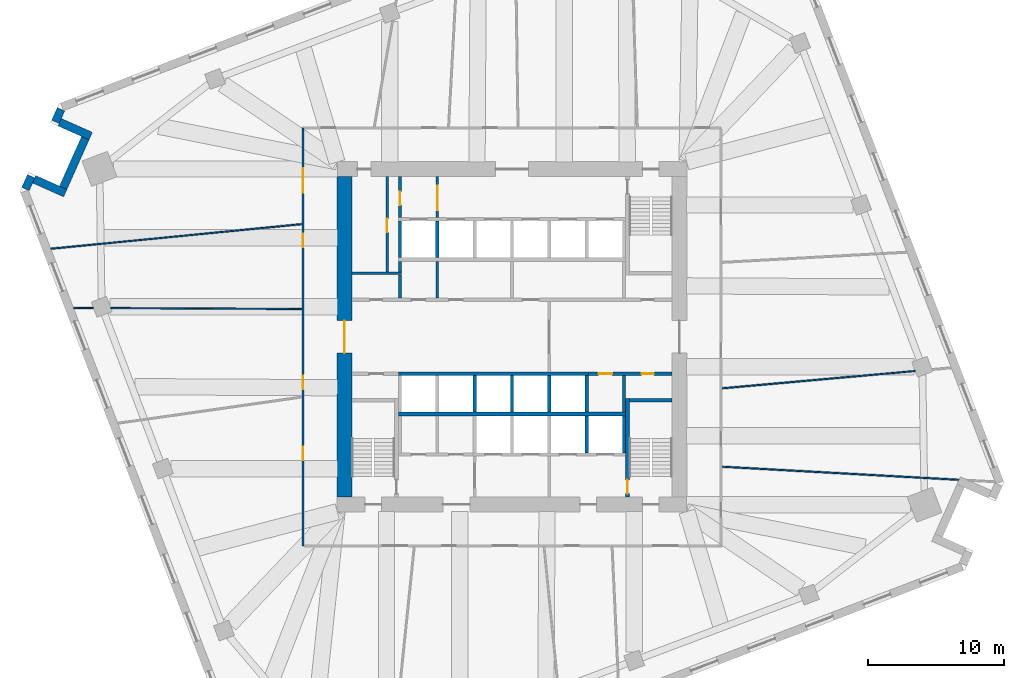
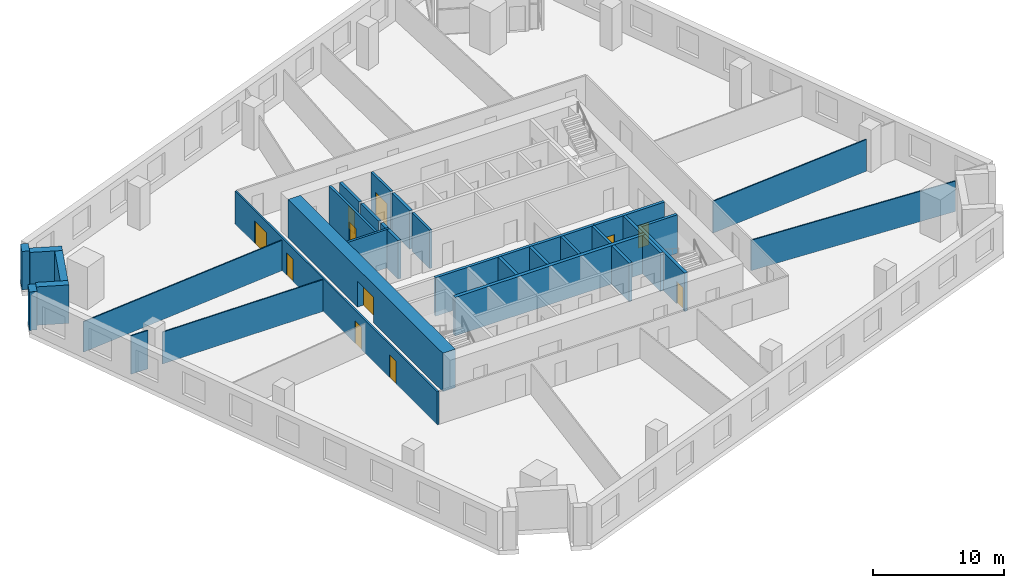
# One storey, part 9 of 14: 33 walls, 11 doors, 11 openings.
"""IFC4 building model written with IfcOpenShell, lengths in metres."""

from ifc_helpers import new_model, si_unit, direction, frame, frame_2d, origin, place, context, subcontext, project, spatial, rectangle, extrude, material, layer, layer_set, type_object, element, fill, save


model = new_model("IFC4")

# Units and contexts
model_context = context("Model", 3, precision=1e-05, world=origin(), true_north=direction((0.0, 1.0)))
body_context = subcontext(model_context, "Body", "Model", "MODEL_VIEW")
ifc_project = project(units=[si_unit("LENGTHUNIT", "METRE"), si_unit("AREAUNIT", "SQUARE_METRE"), si_unit("VOLUMEUNIT", "CUBIC_METRE"), si_unit("PLANEANGLEUNIT", "RADIAN"), si_unit("MASSUNIT", "GRAM", prefix="KILO")], contexts=[model_context])

# Site, building, storey
site_placement = place(None, origin())
site = spatial("IfcSite", under=ifc_project, at=site_placement, CompositionType="ELEMENT")
building_placement = place(site_placement, origin())
building = spatial("IfcBuilding", under=site, at=building_placement, Name="Dilmun Exchange Tower", CompositionType="ELEMENT")
storey_placement = place(building_placement, frame((0.0, 0.0, 106.10009765625)))
storey = spatial("IfcBuildingStorey", under=building, at=storey_placement, Name="L24", CompositionType="ELEMENT", Elevation=106.10009765625)

# Walls
ifc_material_1 = material(Name="Concrete C40/50", Category="concrete")
ifc_layer_1 = layer(ifc_material_1, 0.199951171875)
ifc_layer_set_1 = layer_set([ifc_layer_1], Name="Concrete C40/50")
wall_type_1 = type_object("IfcWallType", Name="Core partition wall 200", PredefinedType="PARTITIONING", material=ifc_layer_set_1)
wall_1_placement = place(storey_placement, frame((-5.5, 2.85498046875, 0.0), z_axis=(0.0, 0.0, 1.0), x_axis=(0.0, 1.0, 0.0)))
element("IfcWall", 1, at=wall_1_placement, inside=storey, type_object=wall_type_1, Name="L24 core partition wall 12", PredefinedType="PARTITIONING", context=body_context, shape_type="SweptSolid", body=[
    extrude(rectangle(XDim=2.68994140625, YDim=0.199951171875, at=frame_2d((1.344970703125, 0.0))), origin(), (0.0, 0.0, 1.0), 3.579833984375),
])
wall_2_placement = place(storey_placement, frame((-11.794921875, 4.675048828125, 0.0), z_axis=(0.0, 0.0, 1.0), x_axis=(1.0, 0.0, 0.0)))
element("IfcWall", 2, at=wall_2_placement, inside=storey, type_object=wall_type_1, Name="L24 core partition wall 15", PredefinedType="PARTITIONING", context=body_context, shape_type="SweptSolid", body=[
    extrude(rectangle(XDim=3.64501953125, YDim=0.199951171875, at=frame_2d((1.822509765625, 0.0))), origin(), (0.0, 0.0, 1.0), 3.579833984375),
])

# Wall, opening, door
wall_3_placement = place(storey_placement, frame((-9.199951171875, 4.780029296875, 0.0), z_axis=(0.0, 0.0, 1.0), x_axis=(0.0, 1.0, 0.0)))
wall_3 = element("IfcWall", 3, at=wall_3_placement, inside=storey, type_object=wall_type_1, Name="L24 core partition wall 16", PredefinedType="PARTITIONING", context=body_context, shape_type="SweptSolid", body=[
    extrude(rectangle(XDim=7.014892578125, YDim=0.199951171875, at=frame_2d((3.50732421875, 0.0))), origin(), (0.0, 0.0, 1.0), 3.579833984375),
])
opening_1_placement = place(wall_3_placement, frame((2.919921875, 0.0, 0.0)))
opening_1 = element("IfcOpeningElement", 4, at=opening_1_placement, cuts=wall_3, Name="Opening CD4", PredefinedType="OPENING", context=body_context, shape_type="SweptSolid", body=[
    extrude(rectangle(XDim=1.0, YDim=2.10009765625, at=frame_2d((0.5, 1.050048828125))), frame((0.0, 0.10986328125, 0.0), z_axis=(0.0, -1.0, 0.0), x_axis=(1.0, 0.0, 0.0)), (0.0, 0.0, 1.0), 0.219970703125),
])
ifc_material_2 = material(Name="Fire-rated steel door set", Category="steel")
door_type_1 = type_object("IfcDoorType", Name="Core room door 1000x2100", OperationType="SINGLE_SWING_LEFT", PredefinedType="DOOR", material=ifc_material_2)
door_1_placement = place(opening_1_placement, origin())
door_1 = element("IfcDoor", 5, at=door_1_placement, inside=storey, type_object=door_type_1, Name="L24 door Fire safety store", OperationType="SINGLE_SWING_LEFT", OverallHeight=2.10009765625, OverallWidth=1.0, PredefinedType="DOOR", context=body_context, shape_type="SweptSolid", body=[
    extrude(rectangle(XDim=1.0, YDim=2.10009765625, at=frame_2d((0.5, 1.050048828125))), frame((0.0, 0.02490234375, 0.0), z_axis=(0.0, -1.0, 0.0), x_axis=(1.0, 0.0, 0.0)), (0.0, 0.0, 1.0), 0.050048828125),
])
fill(opening_1, door_1)

wall_4_placement = place(storey_placement, frame((-5.5, 8.804931640625, 0.0), z_axis=(0.0, 0.0, 1.0), x_axis=(0.0, 1.0, 0.0)))
wall_4 = element("IfcWall", 6, at=wall_4_placement, inside=storey, type_object=wall_type_1, Name="L24 core partition wall 19", PredefinedType="PARTITIONING", context=body_context, shape_type="SweptSolid", body=[
    extrude(rectangle(XDim=2.989990234375, YDim=0.199951171875, at=frame_2d((1.4951171875, 0.0))), origin(), (0.0, 0.0, 1.0), 3.579833984375),
])
opening_2_placement = place(wall_4_placement, frame((0.532470703125, 0.0, 0.0)))
opening_2 = element("IfcOpeningElement", 7, at=opening_2_placement, cuts=wall_4, Name="Opening CD5", PredefinedType="OPENING", context=body_context, shape_type="SweptSolid", body=[
    extrude(rectangle(XDim=1.800048828125, YDim=2.10009765625, at=frame_2d((0.89990234375, 1.050048828125))), frame((0.0, 0.10986328125, 0.0), z_axis=(0.0, -1.0, 0.0), x_axis=(1.0, 0.0, 0.0)), (0.0, 0.0, 1.0), 0.219970703125),
])
door_type_2 = type_object("IfcDoorType", Name="Stair exit door 1800x2100", OperationType="SINGLE_SWING_LEFT", PredefinedType="DOOR", material=ifc_material_2)
door_2_placement = place(opening_2_placement, origin())
door_2 = element("IfcDoor", 8, at=door_2_placement, inside=storey, type_object=door_type_2, Name="L24 door Lift lobby east", OperationType="SINGLE_SWING_LEFT", OverallHeight=2.10009765625, OverallWidth=1.800048828125, PredefinedType="DOOR", context=body_context, shape_type="SweptSolid", body=[
    extrude(rectangle(XDim=1.800048828125, YDim=2.10009765625, at=frame_2d((0.89990234375, 1.050048828125))), frame((0.0, 0.02490234375, 0.0), z_axis=(0.0, -1.0, 0.0), x_axis=(1.0, 0.0, 0.0)), (0.0, 0.0, 1.0), 0.050048828125),
])
fill(opening_2, door_2)

# Wall
ifc_layer_2 = layer(ifc_material_1, 0.25)
ifc_layer_set_2 = layer_set([ifc_layer_2], Name="Concrete C40/50")
wall_type_2 = type_object("IfcWallType", Name="Core partition wall 250", PredefinedType="PARTITIONING", material=ifc_layer_set_2)
wall_5_placement = place(storey_placement, frame((8.25, -5.544921875, 0.0), z_axis=(0.0, 0.0, 1.0), x_axis=(0.0, 1.0, 0.0)))
element("IfcWall", 9, at=wall_5_placement, inside=storey, type_object=wall_type_2, Name="L24 core partition wall 06", PredefinedType="PARTITIONING", context=body_context, shape_type="SweptSolid", body=[
    extrude(rectangle(XDim=2.68994140625, YDim=0.25, at=frame_2d((1.344970703125, 0.0))), origin(), (0.0, 0.0, 1.0), 3.579833984375),
])

# Wall, openings, doors
wall_6_placement = place(storey_placement, frame((5.6298828125, -2.72509765625, 0.0), z_axis=(0.0, 0.0, 1.0), x_axis=(1.0, 0.0, 0.0)))
wall_6 = element("IfcWall", 10, at=wall_6_placement, inside=storey, type_object=wall_type_2, Name="L24 core partition wall 08", PredefinedType="PARTITIONING", context=body_context, shape_type="SweptSolid", body=[
    extrude(rectangle(XDim=6.1650390625, YDim=0.25, at=frame_2d((3.08251953125, 0.0))), origin(), (0.0, 0.0, 1.0), 3.579833984375),
])
opening_3_placement = place(wall_6_placement, frame((0.7451171875, 0.0, 0.0)))
opening_3 = element("IfcOpeningElement", 11, at=opening_3_placement, cuts=wall_6, Name="Opening CD4", PredefinedType="OPENING", context=body_context, shape_type="SweptSolid", body=[
    extrude(rectangle(XDim=1.0, YDim=2.10009765625, at=frame_2d((0.5, 1.050048828125))), frame((0.0, 0.135009765625, 0.0), z_axis=(0.0, -1.0, 0.0), x_axis=(1.0, 0.0, 0.0)), (0.0, 0.0, 1.0), 0.27001953125),
])
opening_4_placement = place(wall_6_placement, frame((3.919921875, 0.0, 0.0)))
opening_4 = element("IfcOpeningElement", 12, at=opening_4_placement, cuts=wall_6, Name="Opening CD6", PredefinedType="OPENING", context=body_context, shape_type="SweptSolid", body=[
    extrude(rectangle(XDim=0.89990234375, YDim=2.10009765625, at=frame_2d((0.449951171875, 1.050048828125))), frame((0.0, 0.135009765625, 0.0), z_axis=(0.0, -1.0, 0.0), x_axis=(1.0, 0.0, 0.0)), (0.0, 0.0, 1.0), 0.27001953125),
])
door_3_placement = place(opening_3_placement, origin())
door_3 = element("IfcDoor", 13, at=door_3_placement, inside=storey, type_object=door_type_1, Name="L24 door Cleaners' store", OperationType="SINGLE_SWING_LEFT", OverallHeight=2.10009765625, OverallWidth=1.0, PredefinedType="DOOR", context=body_context, shape_type="SweptSolid", body=[
    extrude(rectangle(XDim=1.0, YDim=2.10009765625, at=frame_2d((0.5, 1.050048828125))), frame((0.0, 0.02490234375, 0.0), z_axis=(0.0, -1.0, 0.0), x_axis=(1.0, 0.0, 0.0)), (0.0, 0.0, 1.0), 0.050048828125),
])
fill(opening_3, door_3)
door_type_3 = type_object("IfcDoorType", Name="Core room door 900x2100", OperationType="SINGLE_SWING_LEFT", PredefinedType="DOOR", material=ifc_material_2)
door_4_placement = place(opening_4_placement, origin())
door_4 = element("IfcDoor", 14, at=door_4_placement, inside=storey, type_object=door_type_3, Name="L24 door Comms riser", OperationType="SINGLE_SWING_LEFT", OverallHeight=2.10009765625, OverallWidth=0.89990234375, PredefinedType="DOOR", context=body_context, shape_type="SweptSolid", body=[
    extrude(rectangle(XDim=0.89990234375, YDim=2.10009765625, at=frame_2d((0.449951171875, 1.050048828125))), frame((0.0, 0.02490234375, 0.0), z_axis=(0.0, -1.0, 0.0), x_axis=(1.0, 0.0, 0.0)), (0.0, 0.0, 1.0), 0.050048828125),
])
fill(opening_4, door_4)

# Walls
wall_7_placement = place(storey_placement, frame((-8.25, 2.85498046875, 0.0), z_axis=(0.0, 0.0, 1.0), x_axis=(0.0, 1.0, 0.0)))
element("IfcWall", 15, at=wall_7_placement, inside=storey, type_object=wall_type_2, Name="L24 core partition wall 11", PredefinedType="PARTITIONING", context=body_context, shape_type="SweptSolid", body=[
    extrude(rectangle(XDim=1.715087890625, YDim=0.25, at=frame_2d((0.857421875, 0.0))), origin(), (0.0, 0.0, 1.0), 3.579833984375),
])
wall_8_placement = place(storey_placement, frame((-8.25, 4.780029296875, 0.0), z_axis=(0.0, 0.0, 1.0), x_axis=(0.0, 1.0, 0.0)))
element("IfcWall", 16, at=wall_8_placement, inside=storey, type_object=wall_type_2, Name="L24 core partition wall 17", PredefinedType="PARTITIONING", context=body_context, shape_type="SweptSolid", body=[
    extrude(rectangle(XDim=0.764892578125, YDim=0.25, at=frame_2d((0.38232421875, 0.0))), origin(), (0.0, 0.0, 1.0), 3.579833984375),
])

# Wall, opening, door
wall_9_placement = place(storey_placement, frame((-8.25, 8.804931640625, 0.0), z_axis=(0.0, 0.0, 1.0), x_axis=(0.0, 1.0, 0.0)))
wall_9 = element("IfcWall", 17, at=wall_9_placement, inside=storey, type_object=wall_type_2, Name="L24 core partition wall 18", PredefinedType="PARTITIONING", context=body_context, shape_type="SweptSolid", body=[
    extrude(rectangle(XDim=2.989990234375, YDim=0.25, at=frame_2d((1.4951171875, 0.0))), origin(), (0.0, 0.0, 1.0), 3.579833984375),
])
opening_5_placement = place(wall_9_placement, frame((0.89501953125, 0.0, 0.0)))
opening_5 = element("IfcOpeningElement", 18, at=opening_5_placement, cuts=wall_9, Name="Opening CD4", PredefinedType="OPENING", context=body_context, shape_type="SweptSolid", body=[
    extrude(rectangle(XDim=1.0, YDim=2.10009765625, at=frame_2d((0.5, 1.050048828125))), frame((0.0, 0.135009765625, 0.0), z_axis=(0.0, -1.0, 0.0), x_axis=(1.0, 0.0, 0.0)), (0.0, 0.0, 1.0), 0.27001953125),
])
door_5_placement = place(opening_5_placement, origin())
door_5 = element("IfcDoor", 19, at=door_5_placement, inside=storey, type_object=door_type_1, Name="L24 door Tenant services room", OperationType="SINGLE_SWING_LEFT", OverallHeight=2.10009765625, OverallWidth=1.0, PredefinedType="DOOR", context=body_context, shape_type="SweptSolid", body=[
    extrude(rectangle(XDim=1.0, YDim=2.10009765625, at=frame_2d((0.5, 1.050048828125))), frame((0.0, 0.02490234375, 0.0), z_axis=(0.0, -1.0, 0.0), x_axis=(1.0, 0.0, 0.0)), (0.0, 0.0, 1.0), 0.050048828125),
])
fill(opening_5, door_5)

ifc_material_3 = material(Name="Concrete C80/95", Category="concrete")
ifc_layer_3 = layer(ifc_material_3, 1.10009765625)
ifc_layer_set_3 = layer_set([ifc_layer_3], Name="Concrete C80/95")
wall_type_3 = type_object("IfcWallType", Name="Core shear wall 1100 Concrete C80/95", PredefinedType="SHEAR", material=ifc_layer_set_3)
wall_10_placement = place(storey_placement, frame((-12.35009765625, -11.800048828125, 0.0), z_axis=(0.0, 0.0, 1.0), x_axis=(0.0, 1.0, 0.0)))
wall_10 = element("IfcWall", 20, at=wall_10_placement, inside=storey, type_object=wall_type_3, Name="L24 core shear wall W", PredefinedType="SHEAR", context=body_context, shape_type="SweptSolid", body=[
    extrude(rectangle(XDim=23.60009765625, YDim=1.10009765625, at=frame_2d((11.800048828125, 0.0))), origin(), (0.0, 0.0, 1.0), 3.579833984375),
])
opening_6_placement = place(wall_10_placement, frame((10.60009765625, 0.0, 0.0)))
opening_6 = element("IfcOpeningElement", 21, at=opening_6_placement, cuts=wall_10, Name="Opening CD1", PredefinedType="OPENING", context=body_context, shape_type="SweptSolid", body=[
    extrude(rectangle(XDim=2.39990234375, YDim=2.39990234375, at=frame_2d((1.199951171875, 1.199951171875))), frame((0.0, 0.56005859375, 0.0), z_axis=(0.0, -1.0, 0.0), x_axis=(1.0, 0.0, 0.0)), (0.0, 0.0, 1.0), 1.1201171875),
])
door_type_4 = type_object("IfcDoorType", Name="Core lobby door 2400x2400", OperationType="DOUBLE_DOOR_DOUBLE_SWING", PredefinedType="DOOR", material=ifc_material_2)
door_6_placement = place(opening_6_placement, origin())
door_6 = element("IfcDoor", 22, at=door_6_placement, inside=storey, type_object=door_type_4, Name="L24 door Central lift lobby", OperationType="SINGLE_SWING_LEFT", OverallHeight=2.39990234375, OverallWidth=2.39990234375, PredefinedType="DOOR", context=body_context, shape_type="SweptSolid", body=[
    extrude(rectangle(XDim=2.39990234375, YDim=2.39990234375, at=frame_2d((1.199951171875, 1.199951171875))), frame((0.0, 0.02490234375, 0.0), z_axis=(0.0, -1.0, 0.0), x_axis=(1.0, 0.0, 0.0)), (0.0, 0.0, 1.0), 0.050048828125),
])
fill(opening_6, door_6)

# Wall, openings, doors
ifc_material_4 = material(Name="Corridor wall 150")
ifc_layer_4 = layer(ifc_material_4, 0.14990234375)
ifc_layer_set_4 = layer_set([ifc_layer_4], Name="Corridor wall 150")
wall_type_4 = type_object("IfcWallType", Name="Corridor wall 150", PredefinedType="PARTITIONING", material=ifc_layer_set_4)
wall_11_placement = place(storey_placement, frame((-15.39990234375, -15.39990234375, 0.0), z_axis=(0.0, 0.0, 1.0), x_axis=(0.0, 1.0, 0.0)))
wall_11 = element("IfcWall", 23, at=wall_11_placement, inside=storey, type_object=wall_type_4, Name="Corridor wall", PredefinedType="PARTITIONING", context=body_context, shape_type="SweptSolid", body=[
    extrude(rectangle(XDim=30.7998046875, YDim=0.14990234375, at=frame_2d((15.39990234375, 0.0))), origin(), (0.0, 0.0, 1.0), 3.079833984375),
])
opening_7_placement = place(wall_11_placement, frame((21.999267578125, 0.0, 0.0)))
opening_7 = element("IfcOpeningElement", 24, at=opening_7_placement, cuts=wall_11, Name="Opening TF23-D01", PredefinedType="OPENING", context=body_context, shape_type="SweptSolid", body=[
    extrude(rectangle(XDim=1.0, YDim=2.10009765625, at=frame_2d((0.5, 1.050048828125))), frame((0.0, 0.0849609375, 0.0), z_axis=(0.0, -1.0, 0.0), x_axis=(1.0, 0.0, 0.0)), (0.0, 0.0, 1.0), 0.169921875),
])
opening_8_placement = place(wall_11_placement, frame((11.51806640625, 0.0, 0.0)))
opening_8 = element("IfcOpeningElement", 25, at=opening_8_placement, cuts=wall_11, Name="Opening TF23-D02", PredefinedType="OPENING", context=body_context, shape_type="SweptSolid", body=[
    extrude(rectangle(XDim=1.0, YDim=2.10009765625, at=frame_2d((0.5, 1.050048828125))), frame((0.0, 0.0849609375, 0.0), z_axis=(0.0, -1.0, 0.0), x_axis=(1.0, 0.0, 0.0)), (0.0, 0.0, 1.0), 0.169921875),
])
opening_9_placement = place(wall_11_placement, frame((26.00537109375, 0.0, 0.0)))
opening_9 = element("IfcOpeningElement", 26, at=opening_9_placement, cuts=wall_11, Name="Opening TF23-D03", PredefinedType="OPENING", context=body_context, shape_type="SweptSolid", body=[
    extrude(rectangle(XDim=1.800048828125, YDim=2.10009765625, at=frame_2d((0.89990234375, 1.050048828125))), frame((0.0, 0.0849609375, 0.0), z_axis=(0.0, -1.0, 0.0), x_axis=(1.0, 0.0, 0.0)), (0.0, 0.0, 1.0), 0.169921875),
])
opening_10_placement = place(wall_11_placement, frame((6.300048828125, 0.0, 0.0)))
opening_10 = element("IfcOpeningElement", 27, at=opening_10_placement, cuts=wall_11, Name="Opening TF23-D06", PredefinedType="OPENING", context=body_context, shape_type="SweptSolid", body=[
    extrude(rectangle(XDim=1.0, YDim=2.10009765625, at=frame_2d((0.5, 1.050048828125))), frame((0.0, 0.0849609375, 0.0), z_axis=(0.0, -1.0, 0.0), x_axis=(1.0, 0.0, 0.0)), (0.0, 0.0, 1.0), 0.169921875),
])
ifc_material_5 = material(Name="Fire door 1000 x 2100")
door_type_5 = type_object("IfcDoorType", Name="Fire door 1000 x 2100", OperationType="NOTDEFINED", PredefinedType="DOOR", material=ifc_material_5)
door_7_placement = place(opening_7_placement, origin())
door_7 = element("IfcDoor", 28, at=door_7_placement, inside=storey, type_object=door_type_5, Name="Door TF23-D01", OperationType="SINGLE_SWING_LEFT", OverallHeight=2.10009765625, OverallWidth=1.0, PredefinedType="DOOR", context=body_context, shape_type="SweptSolid", body=[
    extrude(rectangle(XDim=1.0, YDim=2.10009765625, at=frame_2d((0.5, 1.050048828125))), frame((0.0, 0.02490234375, 0.0), z_axis=(0.0, -1.0, 0.0), x_axis=(1.0, 0.0, 0.0)), (0.0, 0.0, 1.0), 0.050048828125),
])
fill(opening_7, door_7)
door_8_placement = place(opening_8_placement, origin())
door_8 = element("IfcDoor", 29, at=door_8_placement, inside=storey, type_object=door_type_5, Name="Door TF23-D02", OperationType="SINGLE_SWING_RIGHT", OverallHeight=2.10009765625, OverallWidth=1.0, PredefinedType="DOOR", context=body_context, shape_type="SweptSolid", body=[
    extrude(rectangle(XDim=1.0, YDim=2.10009765625, at=frame_2d((0.5, 1.050048828125))), frame((0.0, 0.02490234375, 0.0), z_axis=(0.0, -1.0, 0.0), x_axis=(1.0, 0.0, 0.0)), (0.0, 0.0, 1.0), 0.050048828125),
])
fill(opening_8, door_8)
door_9_placement = place(opening_10_placement, origin())
door_9 = element("IfcDoor", 30, at=door_9_placement, inside=storey, type_object=door_type_5, Name="Door TF23-D06", OperationType="SINGLE_SWING_RIGHT", OverallHeight=2.10009765625, OverallWidth=1.0, PredefinedType="DOOR", context=body_context, shape_type="SweptSolid", body=[
    extrude(rectangle(XDim=1.0, YDim=2.10009765625, at=frame_2d((0.5, 1.050048828125))), frame((0.0, 0.02490234375, 0.0), z_axis=(0.0, -1.0, 0.0), x_axis=(1.0, 0.0, 0.0)), (0.0, 0.0, 1.0), 0.050048828125),
])
fill(opening_10, door_9)
ifc_material_6 = material(Name="Fire door pair 1800 x 2100")
door_type_6 = type_object("IfcDoorType", Name="Fire door pair 1800 x 2100", OperationType="NOTDEFINED", PredefinedType="DOOR", material=ifc_material_6)
door_10_placement = place(opening_9_placement, origin())
door_10 = element("IfcDoor", 31, at=door_10_placement, inside=storey, type_object=door_type_6, Name="Door TF23-D03", OperationType="DOUBLE_DOOR_SINGLE_SWING", OverallHeight=2.10009765625, OverallWidth=1.800048828125, PredefinedType="DOOR", context=body_context, shape_type="SweptSolid", body=[
    extrude(rectangle(XDim=1.800048828125, YDim=2.10009765625, at=frame_2d((0.89990234375, 1.050048828125))), frame((0.0, 0.02490234375, 0.0), z_axis=(0.0, -1.0, 0.0), x_axis=(1.0, 0.0, 0.0)), (0.0, 0.0, 1.0), 0.050048828125),
])
fill(opening_9, door_10)

# Walls
ifc_layer_5 = layer(ifc_material_1, 0.300048828125)
ifc_layer_set_5 = layer_set([ifc_layer_5], Name="Concrete C40/50")
wall_type_5 = type_object("IfcWallType", Name="Lift shaft shared wall 300", PredefinedType="SOLIDWALL", material=ifc_layer_set_5)
wall_12_placement = place(storey_placement, frame((-8.375, -5.699951171875, 0.0), z_axis=(0.0, 0.0, 1.0), x_axis=(1.0, 0.0, 0.0)))
element("IfcWall", 32, at=wall_12_placement, inside=storey, type_object=wall_type_5, Name="L24 lift shaft rear wall S", PredefinedType="SOLIDWALL", context=body_context, shape_type="SweptSolid", body=[
    extrude(rectangle(XDim=16.75, YDim=0.300048828125, at=frame_2d((8.375, 0.0))), origin(), (0.0, 0.0, 1.0), 3.579833984375),
])
ifc_layer_6 = layer(ifc_material_1, 0.25)
ifc_layer_set_6 = layer_set([ifc_layer_6], Name="Concrete C40/50")
wall_type_6 = type_object("IfcWallType", Name="Lift shaft wall 250", PredefinedType="SOLIDWALL", material=ifc_layer_set_6)
for number, where, z_axis, x_axis, name in (
    (33, (-8.25, 5.85009765625, 0.0), (0.0, 0.0, 1.0), (0.0, 1.0, 0.0), "L24 lift shaft divider N20"),
    (34, (-5.5, 5.85009765625, 0.0), (0.0, 0.0, 1.0), (0.0, 1.0, 0.0), "L24 lift shaft divider N21"),
):
    element("IfcWall", number, at=place(storey_placement, frame(where, z_axis=z_axis, x_axis=x_axis)), inside=storey, type_object=wall_type_6, Name=name, PredefinedType="SOLIDWALL", context=body_context, shape_type="SweptSolid", body=[
        extrude(rectangle(XDim=2.699951171875, YDim=0.25, at=frame_2d((1.35009765625, 0.0))), origin(), (0.0, 0.0, 1.0), 3.579833984375),
    ])
wall_13_placement = place(storey_placement, frame((-8.375, -2.72509765625, 0.0), z_axis=(0.0, 0.0, 1.0), x_axis=(1.0, 0.0, 0.0)))
element("IfcWall", 35, at=wall_13_placement, inside=storey, type_object=wall_type_6, Name="L24 lift shaft front wall S1", PredefinedType="SOLIDWALL", context=body_context, shape_type="SweptSolid", body=[
    extrude(rectangle(XDim=14.0, YDim=0.25, at=frame_2d((7.0, 0.0))), origin(), (0.0, 0.0, 1.0), 3.579833984375),
])
for number, where, z_axis, x_axis, name in (
    (36, (-2.75, -5.550048828125, 0.0), (0.0, 0.0, 1.0), (0.0, 1.0, 0.0), "L24 lift shaft divider S12"),
    (37, (0.0, -5.550048828125, 0.0), (0.0, 0.0, 1.0), (0.0, 1.0, 0.0), "L24 lift shaft divider S13"),
    (38, (2.75, -5.550048828125, 0.0), (0.0, 0.0, 1.0), (0.0, 1.0, 0.0), "L24 lift shaft divider S14"),
    (39, (5.5, -5.550048828125, 0.0), (0.0, 0.0, 1.0), (0.0, 1.0, 0.0), "L24 lift shaft divider S15"),
    (40, (5.5, -8.550048828125, 0.0), (0.0, 0.0, 1.0), (0.0, 1.0, 0.0), "L24 lift shaft divider S25"),
    (41, (8.25, -8.550048828125, 0.0), (0.0, 0.0, 1.0), (0.0, 1.0, 0.0), "L24 lift shaft divider S26"),
):
    element("IfcWall", number, at=place(storey_placement, frame(where, z_axis=z_axis, x_axis=x_axis)), inside=storey, type_object=wall_type_6, Name=name, PredefinedType="SOLIDWALL", context=body_context, shape_type="SweptSolid", body=[
        extrude(rectangle(XDim=2.699951171875, YDim=0.25, at=frame_2d((1.35009765625, 0.0))), origin(), (0.0, 0.0, 1.0), 3.579833984375),
    ])
ifc_material_7 = material(Name="Partition 100")
ifc_layer_7 = layer(ifc_material_7, 0.10009765625)
ifc_layer_set_7 = layer_set([ifc_layer_7], Name="Partition 100")
wall_type_7 = type_object("IfcWallType", Name="Partition 100", PredefinedType="PARTITIONING", material=ifc_layer_set_7)
wall_14_placement = place(storey_placement, frame((-33.979736328125, 6.48681640625, 0.0), z_axis=(0.0, 0.0, 1.0), x_axis=(0.995224598135, 0.097611470978, 0.0)))
element("IfcWall", 42, at=wall_14_placement, inside=storey, type_object=wall_type_7, Name="Partition", PredefinedType="PARTITIONING", context=body_context, shape_type="SweptSolid", body=[
    extrude(rectangle(XDim=18.588623046875, YDim=0.10009765625, at=frame_2d((9.29443359375, 0.0))), origin(), (0.0, 0.0, 1.0), 2.829833984375),
])
wall_15_placement = place(storey_placement, frame((-32.306884765625, 2.12890625, 0.0), z_axis=(0.0, 0.0, 1.0), x_axis=(0.999989154713, -0.004657301452, 0.0)))
element("IfcWall", 43, at=wall_15_placement, inside=storey, type_object=wall_type_7, Name="Partition", PredefinedType="PARTITIONING", context=body_context, shape_type="SweptSolid", body=[
    extrude(rectangle(XDim=1.4677734375, YDim=0.10009765625, at=frame_2d((0.73388671875, 0.0))), origin(), (0.0, 0.0, 1.0), 3.579833984375),
])
wall_16_placement = place(storey_placement, frame((-29.55419921875, 2.115966796875, 0.0), z_axis=(0.0, 0.0, 1.0), x_axis=(0.999988794836, -0.004733941545, 0.0)))
element("IfcWall", 44, at=wall_16_placement, inside=storey, type_object=wall_type_7, Name="Partition", PredefinedType="PARTITIONING", context=body_context, shape_type="SweptSolid", body=[
    extrude(rectangle(XDim=14.079345703125, YDim=0.10009765625, at=frame_2d((7.03955078125, 0.0))), origin(), (0.0, 0.0, 1.0), 2.9599609375),
])
wall_17_placement = place(storey_placement, frame((15.477783203125, -9.5712890625, 0.0), z_axis=(0.0, 0.0, 1.0), x_axis=(0.998469362273, -0.055307617944, 0.0)))
element("IfcWall", 45, at=wall_17_placement, inside=storey, type_object=wall_type_7, Name="Partition", PredefinedType="PARTITIONING", context=body_context, shape_type="SweptSolid", body=[
    extrude(rectangle(XDim=17.48486328125, YDim=0.10009765625, at=frame_2d((8.742431640625, 0.0))), origin(), (0.0, 0.0, 1.0), 2.829833984375),
])
wall_18_placement = place(storey_placement, frame((15.4794921875, -3.7958984375, 0.0), z_axis=(0.0, 0.0, 1.0), x_axis=(0.995999820124, 0.089355236634, 0.0)))
element("IfcWall", 46, at=wall_18_placement, inside=storey, type_object=wall_type_7, Name="Partition", PredefinedType="PARTITIONING", context=body_context, shape_type="SweptSolid", body=[
    extrude(rectangle(XDim=14.2841796875, YDim=0.10009765625, at=frame_2d((7.14208984375, 0.0))), origin(), (0.0, 0.0, 1.0), 2.9599609375),
])
ifc_material_8 = material(Name="Precast concrete C50/60", Category="concrete")
ifc_layer_8 = layer(ifc_material_8, 0.60009765625)
ifc_layer_set_8 = layer_set([ifc_layer_8], Name="Precast concrete C50/60")
wall_type_8 = type_object("IfcWallType", Name="Precast stone-clad wall 600", PredefinedType="STANDARD", material=ifc_layer_set_8)
wall_19_placement = place(storey_placement, frame((-33.231689453125, 16.7626953125, 0.0), z_axis=(0.0, 0.0, 1.0), x_axis=(-0.406877680738, -0.913482650583, 0.0)))
element("IfcWall", 47, at=wall_19_placement, inside=storey, type_object=wall_type_8, Name="Facade wall L24-04", PredefinedType="STANDARD", context=body_context, shape_type="SweptSolid", body=[
    extrude(rectangle(XDim=1.010986328125, YDim=0.60009765625, at=frame_2d((0.50537109375, 0.0))), origin(), (0.0, 0.0, 1.0), 3.579833984375),
])
wall_20_placement = place(storey_placement, frame((-33.328125, 15.808349609375, 0.0), z_axis=(0.0, 0.0, 1.0), x_axis=(0.913533450149, -0.406763611276, 0.0)))
element("IfcWall", 48, at=wall_20_placement, inside=storey, type_object=wall_type_8, Name="Facade wall L24-05", PredefinedType="STANDARD", context=body_context, shape_type="SweptSolid", body=[
    extrude(rectangle(XDim=2.499755859375, YDim=0.60009765625, at=frame_2d((1.25, 0.0))), origin(), (0.0, 0.0, 1.0), 3.579833984375),
])
wall_21_placement = place(storey_placement, frame((-31.4404296875, 14.639404296875, 0.0), z_axis=(0.0, 0.0, 1.0), x_axis=(-0.406727323635, -0.913549606868, 0.0)))
element("IfcWall", 49, at=wall_21_placement, inside=storey, type_object=wall_type_8, Name="Facade wall L24-06", PredefinedType="STANDARD", context=body_context, shape_type="SweptSolid", body=[
    extrude(rectangle(XDim=4.0, YDim=0.60009765625, at=frame_2d((2.0, 0.0))), origin(), (0.0, 0.0, 1.0), 3.579833984375),
])
wall_22_placement = place(storey_placement, frame((-32.915283203125, 10.589111328125, 0.0), z_axis=(0.0, 0.0, 1.0), x_axis=(-0.913549606868, 0.406727323635, 0.0)))
element("IfcWall", 50, at=wall_22_placement, inside=storey, type_object=wall_type_8, Name="Facade wall L24-07", PredefinedType="STANDARD", context=body_context, shape_type="SweptSolid", body=[
    extrude(rectangle(XDim=2.5, YDim=0.60009765625, at=frame_2d((1.25, 0.0))), origin(), (0.0, 0.0, 1.0), 3.579833984375),
])
wall_23_placement = place(storey_placement, frame((-35.4326171875, 11.8193359375, 0.0), z_axis=(0.0, 0.0, 1.0), x_axis=(-0.406787949875, -0.913522612657, 0.0)))
element("IfcWall", 51, at=wall_23_placement, inside=storey, type_object=wall_type_8, Name="Facade wall L24-08", PredefinedType="STANDARD", context=body_context, shape_type="SweptSolid", body=[
    extrude(rectangle(XDim=1.01123046875, YDim=0.60009765625, at=frame_2d((0.505615234375, 0.0))), origin(), (0.0, 0.0, 1.0), 3.579833984375),
])
ifc_layer_9 = layer(ifc_material_1, 0.25)
ifc_layer_set_9 = layer_set([ifc_layer_9], Name="Concrete C40/50")
wall_type_9 = type_object("IfcWallType", Name="Stair end wall 250", PredefinedType="SOLIDWALL", material=ifc_layer_set_9)
wall_24_placement = place(storey_placement, frame((8.64990234375, -4.675048828125, 0.0), z_axis=(0.0, 0.0, 1.0), x_axis=(1.0, 0.0, 0.0)))
element("IfcWall", 52, at=wall_24_placement, inside=storey, type_object=wall_type_9, Name="L24 ST3 far wall", PredefinedType="SOLIDWALL", context=body_context, shape_type="SweptSolid", body=[
    extrude(rectangle(XDim=3.150146484375, YDim=0.25, at=frame_2d((1.5751953125, 0.0))), origin(), (0.0, 0.0, 1.0), 3.579833984375),
])

# Wall, opening, door
ifc_layer_10 = layer(ifc_material_1, 0.27490234375)
ifc_layer_set_10 = layer_set([ifc_layer_10], Name="Concrete C40/50")
wall_type_10 = type_object("IfcWallType", Name="Stair wall 275", PredefinedType="SOLIDWALL", material=ifc_layer_set_10)
wall_25_placement = place(storey_placement, frame((8.512451171875, -4.550048828125, 0.0), z_axis=(0.0, 0.0, 1.0), x_axis=(0.0, -1.0, 0.0)))
wall_25 = element("IfcWall", 53, at=wall_25_placement, inside=storey, type_object=wall_type_10, Name="L24 ST3 wall to lift block", PredefinedType="SOLIDWALL", context=body_context, shape_type="SweptSolid", body=[
    extrude(rectangle(XDim=7.25, YDim=0.27490234375, at=frame_2d((3.625, 0.0))), origin(), (0.0, 0.0, 1.0), 3.579833984375),
])
opening_11_placement = place(wall_25_placement, frame((6.0, 0.0, 0.0)))
opening_11 = element("IfcOpeningElement", 54, at=opening_11_placement, cuts=wall_25, Name="Opening CD4", PredefinedType="OPENING", context=body_context, shape_type="SweptSolid", body=[
    extrude(rectangle(XDim=1.0, YDim=2.10009765625, at=frame_2d((0.5, 1.050048828125))), frame((0.0, 0.1474609375, 0.0), z_axis=(0.0, -1.0, 0.0), x_axis=(1.0, 0.0, 0.0)), (0.0, 0.0, 1.0), 0.294921875),
])
door_11_placement = place(opening_11_placement, origin())
door_11 = element("IfcDoor", 55, at=door_11_placement, inside=storey, type_object=door_type_1, Name="L24 door ST3 from lobby", OperationType="SINGLE_SWING_LEFT", OverallHeight=2.10009765625, OverallWidth=1.0, PredefinedType="DOOR", context=body_context, shape_type="SweptSolid", body=[
    extrude(rectangle(XDim=1.0, YDim=2.10009765625, at=frame_2d((0.5, 1.050048828125))), frame((0.0, 0.02490234375, 0.0), z_axis=(0.0, -1.0, 0.0), x_axis=(1.0, 0.0, 0.0)), (0.0, 0.0, 1.0), 0.050048828125),
])
fill(opening_11, door_11)

save(model, "model.ifc")
